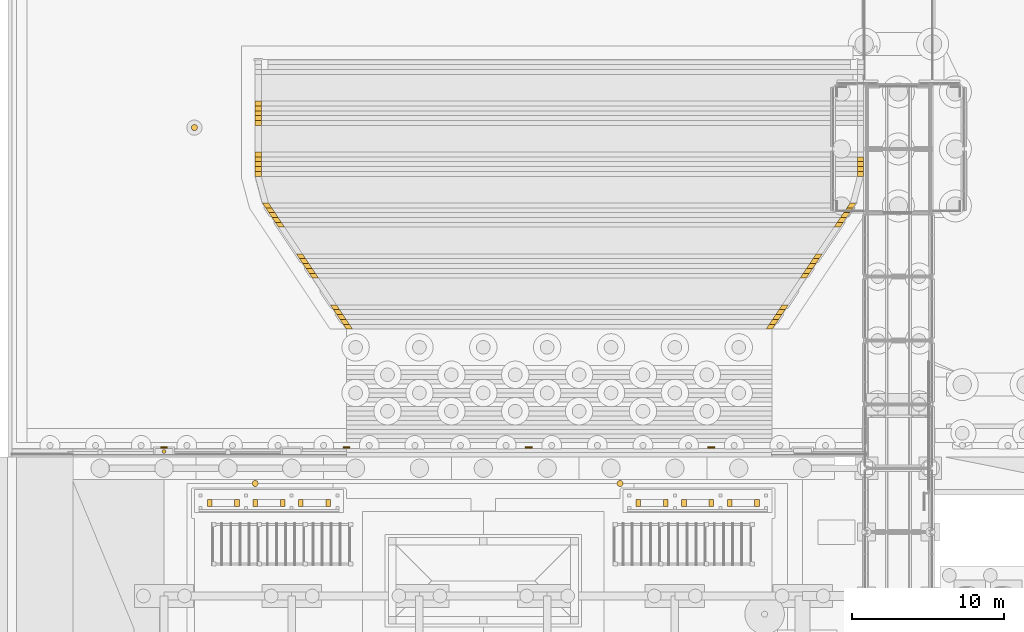
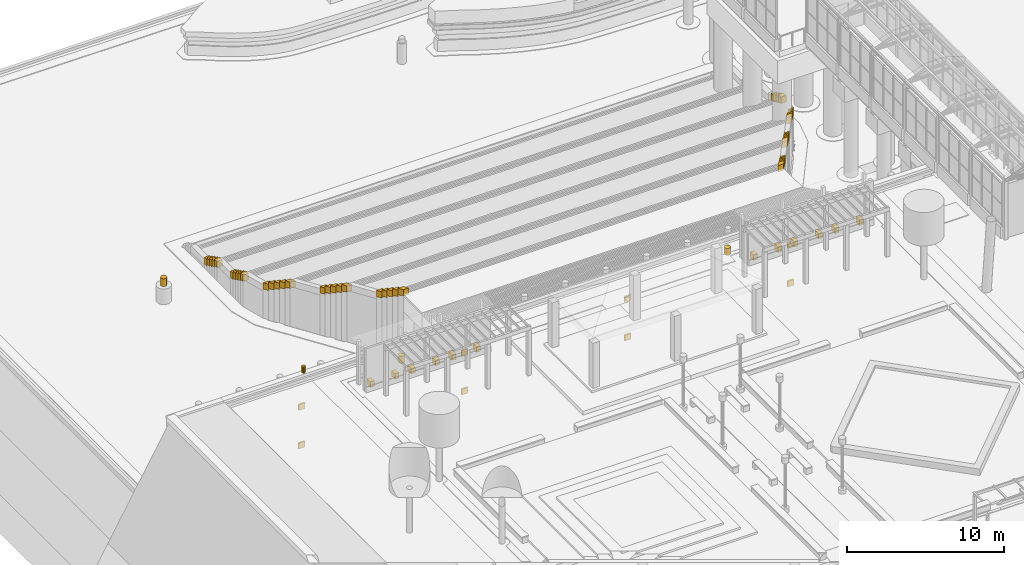
# One storey, part 212 of 222: 68 coverings.
"""IFC4 building model written with IfcOpenShell, lengths in metres."""

import ifcopenshell
import ifcopenshell.guid

model = None  # the IFC model being written
_history = None  # IfcOwnerHistory: only IFC2X3 demands one
_inside = {}  # id of a spatial element -> (the spatial element, [elements in it])
_under = {}  # id of a project, library or spatial element -> (it, [spatial elements below it])
_declared = {}  # id of a project -> (the project, [libraries it declares])
_typed = {}  # id of a type object -> (the type object, [elements of that type])
_made_of = {}  # id of a material, layer set ... -> (it, [elements and type objects made of it])


def new_model(schema):
    """Start an empty IFC model of exactly this schema.

    Asked for "IFC4X3", IfcOpenShell would pick the latest addendum, in which some entities
    have other attributes; the version numbers below select the first issue.
    IFC2X3 requires an IfcOwnerHistory on every rooted entity: one is made here for all.
    """
    global model, _history
    if schema == "IFC4X3":
        model = ifcopenshell.file(schema_version=(4, 3, 0, 0))
    else:
        model = ifcopenshell.file(schema=schema)
    _inside.clear()
    _under.clear()
    _declared.clear()
    _typed.clear()
    _made_of.clear()
    _history = None
    if model.schema == "IFC2X3":
        org = make("IfcOrganization", Name="unknown")
        user = make(
            "IfcPersonAndOrganization",
            ThePerson=make("IfcPerson", FamilyName="unknown"),
            TheOrganization=org,
        )
        app = make(
            "IfcApplication",
            ApplicationDeveloper=org,
            Version="unknown",
            ApplicationFullName="unknown",
            ApplicationIdentifier="unknown",
        )
        _history = make(
            "IfcOwnerHistory",
            OwningUser=user,
            OwningApplication=app,
            ChangeAction="ADDED",
            CreationDate=0,
        )
    return model


def make(cls, **values):
    """One entity of the class cls with the attributes given. An attribute that is None is left unset."""
    return model.create_entity(
        cls, **{name: value for name, value in values.items() if value is not None}
    )


def rooted(cls, **values):
    """An entity with a GlobalId (a new one), such as an element, a storey or a relation."""
    return make(cls, GlobalId=ifcopenshell.guid.new(), OwnerHistory=_history, **values)


def si_unit(unit_type, name, prefix=None):
    """IfcSIUnit, for example si_unit("LENGTHUNIT", "METRE", prefix="MILLI")."""
    return make("IfcSIUnit", UnitType=unit_type, Prefix=prefix, Name=name)


def assignment(units):
    """IfcUnitAssignment: the units of a project."""
    return None if units is None else make("IfcUnitAssignment", Units=units)


def point(xyz):
    """IfcCartesianPoint."""
    return None if xyz is None else make("IfcCartesianPoint", Coordinates=xyz)


def direction(xyz):
    """IfcDirection."""
    return None if xyz is None else make("IfcDirection", DirectionRatios=xyz)


def frame(location, z_axis=None, x_axis=None):
    """IfcAxis2Placement3D, a coordinate frame: its origin and axes. An axis left out is left unset."""
    return make(
        "IfcAxis2Placement3D",
        Location=point(location),
        Axis=direction(z_axis),
        RefDirection=direction(x_axis),
    )


def frame_2d(location, x_axis=None):
    """IfcAxis2Placement2D, a coordinate frame in the plane: its origin and x axis."""
    return make(
        "IfcAxis2Placement2D", Location=point(location), RefDirection=direction(x_axis)
    )


def origin():
    """The frame at (0, 0, 0) with its axes left unset."""
    return frame((0.0, 0.0, 0.0))


def origin_2d():
    """The frame at (0, 0) in the plane with its x axis left unset."""
    return frame_2d((0.0, 0.0))


def place(relative_to, where):
    """IfcLocalPlacement: puts the frame where relative to a parent placement (None: the world)."""
    return make(
        "IfcLocalPlacement", PlacementRelTo=relative_to, RelativePlacement=where
    )


def context(
    kind, dimensions, precision=None, world=None, true_north=None, identifier=None
):
    """IfcGeometricRepresentationContext, for example the 3D "Model" context."""
    return make(
        "IfcGeometricRepresentationContext",
        ContextIdentifier=identifier,
        ContextType=kind,
        CoordinateSpaceDimension=dimensions,
        Precision=precision,
        WorldCoordinateSystem=world,
        TrueNorth=true_north,
    )


def subcontext(parent, identifier, kind, view, scale=None):
    """IfcGeometricRepresentationSubContext, for example "Body" below "Model"."""
    return make(
        "IfcGeometricRepresentationSubContext",
        ContextIdentifier=identifier,
        ContextType=kind,
        ParentContext=parent,
        TargetScale=scale,
        TargetView=view,
    )


def project(units=None, contexts=None):
    """IfcProject with its units and contexts."""
    return rooted(
        "IfcProject",
        Name="project",
        RepresentationContexts=contexts,
        UnitsInContext=assignment(units),
    )


def spatial(cls, under=None, at=None, **own):
    """A site, building, storey or space (cls), placed at a placement, below another one or the project."""
    s = rooted(cls, ObjectPlacement=at, **own)
    if under is not None:
        _under.setdefault(under.id(), (under, []))[1].append(s)
    return s


def polyline(points):
    """IfcPolyline through the points."""
    return make("IfcPolyline", Points=[point(p) for p in points])


def profile(cls, at=None, kind="AREA", **sizes):
    """A parametric profile (cls). Its sizes go by their IFC names, for example OverallWidth=200.0."""
    return make(cls, ProfileType=kind, Position=at, **sizes)


def circle(**sizes):
    """IfcCircleProfileDef."""
    return profile("IfcCircleProfileDef", **sizes)


def outline(outer, holes=None, kind="AREA"):
    """IfcArbitraryClosedProfileDef: a profile drawn as a closed curve; with holes, ...WithVoids."""
    if holes is None:
        return make("IfcArbitraryClosedProfileDef", ProfileType=kind, OuterCurve=outer)
    return make(
        "IfcArbitraryProfileDefWithVoids",
        ProfileType=kind,
        OuterCurve=outer,
        InnerCurves=holes,
    )


def extrude(swept, where, along, depth):
    """IfcExtrudedAreaSolid: the profile swept, set in the frame where, extruded along a direction by depth."""
    return make(
        "IfcExtrudedAreaSolid",
        SweptArea=swept,
        Position=where,
        ExtrudedDirection=direction(along),
        Depth=depth,
    )


def shape(context_of_items, identifier, shape_type, items):
    """IfcShapeRepresentation: the items that make up one representation, for example the "Body"."""
    return make(
        "IfcShapeRepresentation",
        ContextOfItems=context_of_items,
        RepresentationIdentifier=identifier,
        RepresentationType=shape_type,
        Items=items,
    )


def material(Name=None, Category=None):
    """IfcMaterial."""
    return make("IfcMaterial", Name=Name, Category=Category)


def layer(
    of_material, thickness, ventilated=None, Name=None, Category=None, Priority=None
):
    """IfcMaterialLayer: one layer of a wall or slab, of a material (None: an air gap)."""
    return make(
        "IfcMaterialLayer",
        Material=of_material,
        LayerThickness=thickness,
        IsVentilated=ventilated,
        Name=Name,
        Category=Category,
        Priority=Priority,
    )


def layer_set(layers, Name=None):
    """IfcMaterialLayerSet."""
    return make("IfcMaterialLayerSet", MaterialLayers=layers, LayerSetName=Name)


def made_of(thing, what):
    """Note that an element or type object is made of a material, layer set ...; save() writes the relation."""
    if what is not None:
        _made_of.setdefault(what.id(), (what, []))[1].append(thing)
    return thing


def type_object(cls, material=None, **own):
    """A type object (cls), such as IfcWallType, which elements share."""
    return made_of(rooted(cls, **own), material)


def element(
    cls,
    number,
    at=None,
    inside=None,
    cuts=None,
    type_object=None,
    material=None,
    context=None,
    identifier="Body",
    shape_type=None,
    held_by="IfcProductDefinitionShape",
    body=None,
    shapes=None,
    **own,
):
    """One element of the class cls, such as IfcWall. Its Tag is "e" and its number.

    at: its placement. inside: the storey or other place that contains it. cuts: it is an
    opening in that element (IfcRelVoidsElement). A single representation is given by context,
    identifier, shape_type and body (its items); several are given by shapes. held_by: the class
    of the entity that holds the representations. save() writes the other relations.
    """
    e = rooted(cls, Tag="e%d" % number, ObjectPlacement=at, **own)
    if body is not None:
        shapes = [shape(context, identifier, shape_type, body)]
    if shapes is not None:
        e.Representation = make(held_by, Representations=shapes)
    if inside is not None:
        _inside.setdefault(inside.id(), (inside, []))[1].append(e)
    if cuts is not None:
        rooted(
            "IfcRelVoidsElement", RelatingBuildingElement=cuts, RelatedOpeningElement=e
        )
    if type_object is not None:
        _typed.setdefault(type_object.id(), (type_object, []))[1].append(e)
    return made_of(e, material)


def aggregate(whole, parts):
    """IfcRelAggregates: a whole, such as a stair, and the parts it consists of."""
    return rooted("IfcRelAggregates", RelatingObject=whole, RelatedObjects=parts)


def save(model, path):
    """Write the relations noted so far, then the file.

    IfcRelAggregates (storeys below a building ...), IfcRelContainedInSpatialStructure (elements
    in a storey), IfcRelDefinesByType, IfcRelAssociatesMaterial and IfcRelDeclares: one each for
    every whole, place, type object, material and project.
    """
    for whole, parts in _under.values():
        aggregate(whole, parts)
    for where, things in _inside.values():
        rooted(
            "IfcRelContainedInSpatialStructure",
            RelatedElements=things,
            RelatingStructure=where,
        )
    for kind, things in _typed.values():
        rooted("IfcRelDefinesByType", RelatedObjects=things, RelatingType=kind)
    for what, things in _made_of.values():
        rooted("IfcRelAssociatesMaterial", RelatedObjects=things, RelatingMaterial=what)
    for by, libraries in _declared.values():
        rooted("IfcRelDeclares", RelatingContext=by, RelatedDefinitions=libraries)
    model.write(path)


model = new_model("IFC4")

# Units and contexts
model_context = context("Model", 3, precision=1e-05, world=origin(), true_north=direction((0.0, 1.0)))
body_context = subcontext(model_context, "Body", "Model", "MODEL_VIEW")
ifc_project = project(units=[si_unit("LENGTHUNIT", "METRE"), si_unit("AREAUNIT", "SQUARE_METRE"), si_unit("VOLUMEUNIT", "CUBIC_METRE"), si_unit("PLANEANGLEUNIT", "RADIAN"), si_unit("MASSUNIT", "GRAM", prefix="KILO")], contexts=[model_context])

# Site, building, storey
site_placement = place(None, origin())
site = spatial("IfcSite", under=ifc_project, at=site_placement, CompositionType="ELEMENT")
building_placement = place(site_placement, origin())
building = spatial("IfcBuilding", under=site, at=building_placement, Name="Sava Quay Ferry Terminal", CompositionType="ELEMENT")
storey_placement = place(building_placement, origin())
storey = spatial("IfcBuildingStorey", under=building, at=storey_placement, Name="L00", CompositionType="ELEMENT", Elevation=0.0)

# Coverings
ifc_material_1 = material(Name="Limestone Mutalj", Category="masonry")
ifc_layer_1 = layer(ifc_material_1, 0.300048828125)
ifc_layer_set_1 = layer_set([ifc_layer_1], Name="Limestone Mutalj")
covering_type_1 = type_object("IfcCoveringType", Name="Bench stone support 300", PredefinedType="CLADDING", material=ifc_layer_set_1)
covering_1_placement = place(storey_placement, origin())
element("IfcCovering", 1, at=covering_1_placement, inside=storey, type_object=covering_type_1, Name="Bench stone support", PredefinedType="CLADDING", context=body_context, shape_type="SweptSolid", body=[
    extrude(outline(polyline([(3.14990234375, 115.10009765625), (3.14990234375, 115.550048828125), (2.85009765625, 115.550048828125), (2.85009765625, 115.10009765625), (3.14990234375, 115.10009765625)])), origin(), (0.0, 0.0, 1.0), 0.419921875),
])
covering_2_placement = place(storey_placement, origin())
element("IfcCovering", 2, at=covering_2_placement, inside=storey, type_object=covering_type_1, Name="Bench stone support", PredefinedType="CLADDING", context=body_context, shape_type="SweptSolid", body=[
    extrude(outline(polyline([(4.949951171875, 115.10009765625), (4.949951171875, 115.550048828125), (4.64990234375, 115.550048828125), (4.64990234375, 115.10009765625), (4.949951171875, 115.10009765625)])), origin(), (0.0, 0.0, 1.0), 0.419921875),
])
covering_3_placement = place(storey_placement, origin())
element("IfcCovering", 3, at=covering_3_placement, inside=storey, type_object=covering_type_1, Name="Bench stone support", PredefinedType="CLADDING", context=body_context, shape_type="SweptSolid", body=[
    extrude(outline(polyline([(6.14990234375, 115.10009765625), (6.14990234375, 115.550048828125), (5.85009765625, 115.550048828125), (5.85009765625, 115.10009765625), (6.14990234375, 115.10009765625)])), origin(), (0.0, 0.0, 1.0), 0.419921875),
])
covering_4_placement = place(storey_placement, origin())
element("IfcCovering", 4, at=covering_4_placement, inside=storey, type_object=covering_type_1, Name="Bench stone support", PredefinedType="CLADDING", context=body_context, shape_type="SweptSolid", body=[
    extrude(outline(polyline([(7.949951171875, 115.10009765625), (7.949951171875, 115.550048828125), (7.64990234375, 115.550048828125), (7.64990234375, 115.10009765625), (7.949951171875, 115.10009765625)])), origin(), (0.0, 0.0, 1.0), 0.419921875),
])
covering_5_placement = place(storey_placement, origin())
element("IfcCovering", 5, at=covering_5_placement, inside=storey, type_object=covering_type_1, Name="Bench stone support", PredefinedType="CLADDING", context=body_context, shape_type="SweptSolid", body=[
    extrude(outline(polyline([(9.14990234375, 115.10009765625), (9.14990234375, 115.550048828125), (8.85009765625, 115.550048828125), (8.85009765625, 115.10009765625), (9.14990234375, 115.10009765625)])), origin(), (0.0, 0.0, 1.0), 0.419921875),
])
covering_6_placement = place(storey_placement, origin())
element("IfcCovering", 6, at=covering_6_placement, inside=storey, type_object=covering_type_1, Name="Bench stone support", PredefinedType="CLADDING", context=body_context, shape_type="SweptSolid", body=[
    extrude(outline(polyline([(10.949951171875, 115.10009765625), (10.949951171875, 115.550048828125), (10.64990234375, 115.550048828125), (10.64990234375, 115.10009765625), (10.949951171875, 115.10009765625)])), origin(), (0.0, 0.0, 1.0), 0.419921875),
])
covering_7_placement = place(storey_placement, origin())
element("IfcCovering", 7, at=covering_7_placement, inside=storey, type_object=covering_type_1, Name="Bench stone support", PredefinedType="CLADDING", context=body_context, shape_type="SweptSolid", body=[
    extrude(outline(polyline([(31.35009765625, 115.10009765625), (31.35009765625, 115.550048828125), (31.050048828125, 115.550048828125), (31.050048828125, 115.10009765625), (31.35009765625, 115.10009765625)])), origin(), (0.0, 0.0, 1.0), 0.419921875),
])
covering_8_placement = place(storey_placement, origin())
element("IfcCovering", 8, at=covering_8_placement, inside=storey, type_object=covering_type_1, Name="Bench stone support", PredefinedType="CLADDING", context=body_context, shape_type="SweptSolid", body=[
    extrude(outline(polyline([(33.14990234375, 115.10009765625), (33.14990234375, 115.550048828125), (32.85009765625, 115.550048828125), (32.85009765625, 115.10009765625), (33.14990234375, 115.10009765625)])), origin(), (0.0, 0.0, 1.0), 0.419921875),
])
covering_9_placement = place(storey_placement, origin())
element("IfcCovering", 9, at=covering_9_placement, inside=storey, type_object=covering_type_1, Name="Bench stone support", PredefinedType="CLADDING", context=body_context, shape_type="SweptSolid", body=[
    extrude(outline(polyline([(34.35009765625, 115.10009765625), (34.35009765625, 115.550048828125), (34.050048828125, 115.550048828125), (34.050048828125, 115.10009765625), (34.35009765625, 115.10009765625)])), origin(), (0.0, 0.0, 1.0), 0.419921875),
])
covering_10_placement = place(storey_placement, origin())
element("IfcCovering", 10, at=covering_10_placement, inside=storey, type_object=covering_type_1, Name="Bench stone support", PredefinedType="CLADDING", context=body_context, shape_type="SweptSolid", body=[
    extrude(outline(polyline([(36.14990234375, 115.10009765625), (36.14990234375, 115.550048828125), (35.85009765625, 115.550048828125), (35.85009765625, 115.10009765625), (36.14990234375, 115.10009765625)])), origin(), (0.0, 0.0, 1.0), 0.419921875),
])
covering_11_placement = place(storey_placement, origin())
element("IfcCovering", 11, at=covering_11_placement, inside=storey, type_object=covering_type_1, Name="Bench stone support", PredefinedType="CLADDING", context=body_context, shape_type="SweptSolid", body=[
    extrude(outline(polyline([(37.35009765625, 115.10009765625), (37.35009765625, 115.550048828125), (37.050048828125, 115.550048828125), (37.050048828125, 115.10009765625), (37.35009765625, 115.10009765625)])), origin(), (0.0, 0.0, 1.0), 0.419921875),
])
covering_12_placement = place(storey_placement, origin())
element("IfcCovering", 12, at=covering_12_placement, inside=storey, type_object=covering_type_1, Name="Bench stone support", PredefinedType="CLADDING", context=body_context, shape_type="SweptSolid", body=[
    extrude(outline(polyline([(39.14990234375, 115.10009765625), (39.14990234375, 115.550048828125), (38.85009765625, 115.550048828125), (38.85009765625, 115.10009765625), (39.14990234375, 115.10009765625)])), origin(), (0.0, 0.0, 1.0), 0.419921875),
])
ifc_material_2 = material(Name="Steel S355", Category="steel")
ifc_layer_2 = layer(ifc_material_2, 0.39990234375)
ifc_layer_set_2 = layer_set([ifc_layer_2], Name="Steel S355")
covering_type_2 = type_object("IfcCoveringType", Name="Mooring bollard 400", PredefinedType="CLADDING", material=ifc_layer_set_2)
for number, where, z_axis, x_axis, name in (
    (13, (6.0, 116.60009765625, 0.550048828125), (0.0, 0.0, -1.0), (1.0, 0.0, 0.0), "Mooring bollard"),
    (14, (30.0, 116.60009765625, 0.550048828125), (0.0, 0.0, -1.0), (1.0, 0.0, 0.0), "Mooring bollard"),
):
    element("IfcCovering", number, at=place(storey_placement, frame(where, z_axis=z_axis, x_axis=x_axis)), inside=storey, type_object=covering_type_2, Name=name, PredefinedType="CLADDING", context=body_context, shape_type="SweptSolid", body=[
        extrude(circle(Radius=0.199951171875, at=origin_2d()), origin(), (0.0, 0.0, 1.0), 0.550048828125),
    ])
ifc_material_3 = material(Name="Steel painted", Category="steel")
ifc_layer_3 = layer(ifc_material_3, 0.39990234375)
ifc_layer_set_3 = layer_set([ifc_layer_3], Name="Steel painted")
covering_type_3 = type_object("IfcCoveringType", Name="Mooring buoy top 400", PredefinedType="CLADDING", material=ifc_layer_set_3)
covering_13_placement = place(storey_placement, frame((2.0, 140.0, -6.199951171875), z_axis=(0.0, 0.0, -1.0), x_axis=(1.0, 0.0, 0.0)))
element("IfcCovering", 15, at=covering_13_placement, inside=storey, type_object=covering_type_3, Name="Mooring buoy top", PredefinedType="CLADDING", context=body_context, shape_type="SweptSolid", body=[
    extrude(circle(Radius=0.199951171875, at=origin_2d()), origin(), (0.0, 0.0, 1.0), 0.60009765625),
])
ifc_material_4 = material(Name="Cast iron")
ifc_layer_4 = layer(ifc_material_4, 0.239990234375)
ifc_layer_set_4 = layer_set([ifc_layer_4], Name="Cast iron")
covering_type_4 = type_object("IfcCoveringType", Name="Quay bollard 240", PredefinedType="CLADDING", material=ifc_layer_set_4)
covering_14_placement = place(storey_placement, frame((0.0, 118.699951171875, 0.5), z_axis=(0.0, 0.0, -1.0), x_axis=(1.0, 0.0, 0.0)))
element("IfcCovering", 16, at=covering_14_placement, inside=storey, type_object=covering_type_4, Name="Mooring bollard", PredefinedType="CLADDING", context=body_context, shape_type="SweptSolid", body=[
    extrude(circle(Radius=0.1201171875, at=origin_2d()), origin(), (0.0, 0.0, 1.0), 0.5),
])
ifc_material_5 = material(Name="Cast iron")
ifc_layer_5 = layer(ifc_material_5, 0.1201171875)
ifc_layer_set_5 = layer_set([ifc_layer_5], Name="Cast iron")
covering_type_5 = type_object("IfcCoveringType", Name="Quay mooring ring plate", PredefinedType="CLADDING", material=ifc_layer_set_5)
for number, where, name in (
    (17, (0.0, 0.0, -6.02490234375), "Quay mooring ring plate"),
    (18, (0.0, 0.0, -3.02490234375), "Quay mooring ring plate"),
):
    element("IfcCovering", number, at=place(storey_placement, frame(where)), inside=storey, type_object=covering_type_5, Name=name, PredefinedType="CLADDING", context=body_context, shape_type="SweptSolid", body=[
        extrude(outline(polyline([(0.22509765625, 118.89990234375), (0.22509765625, 119.02001953125), (-0.22509765625, 119.02001953125), (-0.22509765625, 118.89990234375), (0.22509765625, 118.89990234375)])), origin(), (0.0, 0.0, 1.0), 0.449951171875),
    ])
for number, where, name in (
    (19, (0.0, 0.0, -6.02490234375), "Quay mooring ring plate"),
    (20, (0.0, 0.0, -3.02490234375), "Quay mooring ring plate"),
):
    element("IfcCovering", number, at=place(storey_placement, frame(where)), inside=storey, type_object=covering_type_5, Name=name, PredefinedType="CLADDING", context=body_context, shape_type="SweptSolid", body=[
        extrude(outline(polyline([(12.22509765625, 118.89990234375), (12.22509765625, 119.02001953125), (11.77490234375, 119.02001953125), (11.77490234375, 118.89990234375), (12.22509765625, 118.89990234375)])), origin(), (0.0, 0.0, 1.0), 0.449951171875),
    ])
for number, where, name in (
    (21, (0.0, 0.0, -6.02490234375), "Quay mooring ring plate"),
    (22, (0.0, 0.0, -3.02490234375), "Quay mooring ring plate"),
):
    element("IfcCovering", number, at=place(storey_placement, frame(where)), inside=storey, type_object=covering_type_5, Name=name, PredefinedType="CLADDING", context=body_context, shape_type="SweptSolid", body=[
        extrude(outline(polyline([(24.22509765625, 118.89990234375), (24.22509765625, 119.02001953125), (23.77490234375, 119.02001953125), (23.77490234375, 118.89990234375), (24.22509765625, 118.89990234375)])), origin(), (0.0, 0.0, 1.0), 0.449951171875),
    ])
for number, where, name in (
    (23, (0.0, 0.0, -6.02490234375), "Quay mooring ring plate"),
    (24, (0.0, 0.0, -3.02490234375), "Quay mooring ring plate"),
):
    element("IfcCovering", number, at=place(storey_placement, frame(where)), inside=storey, type_object=covering_type_5, Name=name, PredefinedType="CLADDING", context=body_context, shape_type="SweptSolid", body=[
        extrude(outline(polyline([(36.22509765625, 118.89990234375), (36.22509765625, 119.02001953125), (35.77490234375, 119.02001953125), (35.77490234375, 118.89990234375), (36.22509765625, 118.89990234375)])), origin(), (0.0, 0.0, 1.0), 0.449951171875),
    ])
ifc_material_6 = material(Name="Limestone ashlar", Category="masonry")
ifc_layer_6 = layer(ifc_material_6, 0.39990234375)
ifc_layer_set_6 = layer_set([ifc_layer_6], Name="Limestone ashlar")
covering_type_6 = type_object("IfcCoveringType", Name="Wet stair cheek wall 400", PredefinedType="CLADDING", material=ifc_layer_set_6)
covering_15_placement = place(storey_placement, frame((0.0, 0.0, -3.1591796875)))
element("IfcCovering", 25, at=covering_15_placement, inside=storey, type_object=covering_type_6, Name="Wet stair cheek wall", PredefinedType="CLADDING", context=body_context, shape_type="SweptSolid", body=[
    extrude(outline(polyline([(12.0, 126.75), (12.39990234375, 126.75), (12.18701171875, 127.070068359375), (11.787109375, 127.070068359375), (12.0, 126.75)])), origin(), (0.0, 0.0, 1.0), 0.5),
])
covering_16_placement = place(storey_placement, frame((0.0, 0.0, -3.1591796875)))
element("IfcCovering", 26, at=covering_16_placement, inside=storey, type_object=covering_type_6, Name="Wet stair cheek wall", PredefinedType="CLADDING", context=body_context, shape_type="SweptSolid", body=[
    extrude(outline(polyline([(39.60009765625, 126.75), (40.0, 126.75), (40.212890625, 127.070068359375), (39.81298828125, 127.070068359375), (39.60009765625, 126.75)])), origin(), (0.0, 0.0, 1.0), 0.5),
])
covering_17_placement = place(storey_placement, frame((0.0, 0.0, -3.318115234375)))
element("IfcCovering", 27, at=covering_17_placement, inside=storey, type_object=covering_type_6, Name="Wet stair cheek wall", PredefinedType="CLADDING", context=body_context, shape_type="SweptSolid", body=[
    extrude(outline(polyline([(11.787109375, 127.070068359375), (12.18701171875, 127.070068359375), (11.972900390625, 127.389892578125), (11.572998046875, 127.389892578125), (11.787109375, 127.070068359375)])), origin(), (0.0, 0.0, 1.0), 0.5),
])
covering_18_placement = place(storey_placement, frame((0.0, 0.0, -3.318115234375)))
element("IfcCovering", 28, at=covering_18_placement, inside=storey, type_object=covering_type_6, Name="Wet stair cheek wall", PredefinedType="CLADDING", context=body_context, shape_type="SweptSolid", body=[
    extrude(outline(polyline([(39.81298828125, 127.070068359375), (40.212890625, 127.070068359375), (40.427001953125, 127.389892578125), (40.027099609375, 127.389892578125), (39.81298828125, 127.070068359375)])), origin(), (0.0, 0.0, 1.0), 0.5),
])
covering_19_placement = place(storey_placement, frame((0.0, 0.0, -3.477294921875)))
element("IfcCovering", 29, at=covering_19_placement, inside=storey, type_object=covering_type_6, Name="Wet stair cheek wall", PredefinedType="CLADDING", context=body_context, shape_type="SweptSolid", body=[
    extrude(outline(polyline([(11.572998046875, 127.389892578125), (11.972900390625, 127.389892578125), (11.760009765625, 127.7099609375), (11.360107421875, 127.7099609375), (11.572998046875, 127.389892578125)])), origin(), (0.0, 0.0, 1.0), 0.5),
])
covering_20_placement = place(storey_placement, frame((0.0, 0.0, -3.477294921875)))
element("IfcCovering", 30, at=covering_20_placement, inside=storey, type_object=covering_type_6, Name="Wet stair cheek wall", PredefinedType="CLADDING", context=body_context, shape_type="SweptSolid", body=[
    extrude(outline(polyline([(40.027099609375, 127.389892578125), (40.427001953125, 127.389892578125), (40.639892578125, 127.7099609375), (40.239990234375, 127.7099609375), (40.027099609375, 127.389892578125)])), origin(), (0.0, 0.0, 1.0), 0.5),
])
covering_21_placement = place(storey_placement, frame((0.0, 0.0, -3.636474609375)))
element("IfcCovering", 31, at=covering_21_placement, inside=storey, type_object=covering_type_6, Name="Wet stair cheek wall", PredefinedType="CLADDING", context=body_context, shape_type="SweptSolid", body=[
    extrude(outline(polyline([(11.360107421875, 127.7099609375), (11.760009765625, 127.7099609375), (11.547119140625, 128.030029296875), (11.14697265625, 128.030029296875), (11.360107421875, 127.7099609375)])), origin(), (0.0, 0.0, 1.0), 0.5),
])
covering_22_placement = place(storey_placement, frame((0.0, 0.0, -3.636474609375)))
element("IfcCovering", 32, at=covering_22_placement, inside=storey, type_object=covering_type_6, Name="Wet stair cheek wall", PredefinedType="CLADDING", context=body_context, shape_type="SweptSolid", body=[
    extrude(outline(polyline([(40.239990234375, 127.7099609375), (40.639892578125, 127.7099609375), (40.85302734375, 128.030029296875), (40.452880859375, 128.030029296875), (40.239990234375, 127.7099609375)])), origin(), (0.0, 0.0, 1.0), 0.5),
])
covering_23_placement = place(storey_placement, frame((0.0, 0.0, -3.79541015625)))
element("IfcCovering", 33, at=covering_23_placement, inside=storey, type_object=covering_type_6, Name="Wet stair cheek wall", PredefinedType="CLADDING", context=body_context, shape_type="SweptSolid", body=[
    extrude(outline(polyline([(11.14697265625, 128.030029296875), (11.547119140625, 128.030029296875), (11.3330078125, 128.35009765625), (10.93310546875, 128.35009765625), (11.14697265625, 128.030029296875)])), origin(), (0.0, 0.0, 1.0), 0.5),
])
covering_24_placement = place(storey_placement, frame((0.0, 0.0, -3.79541015625)))
element("IfcCovering", 34, at=covering_24_placement, inside=storey, type_object=covering_type_6, Name="Wet stair cheek wall", PredefinedType="CLADDING", context=body_context, shape_type="SweptSolid", body=[
    extrude(outline(polyline([(40.452880859375, 128.030029296875), (40.85302734375, 128.030029296875), (41.06689453125, 128.35009765625), (40.6669921875, 128.35009765625), (40.452880859375, 128.030029296875)])), origin(), (0.0, 0.0, 1.0), 0.5),
])
covering_25_placement = place(storey_placement, frame((0.0, 0.0, -4.113525390625)))
element("IfcCovering", 35, at=covering_25_placement, inside=storey, type_object=covering_type_6, Name="Wet stair cheek wall", PredefinedType="CLADDING", context=body_context, shape_type="SweptSolid", body=[
    extrude(outline(polyline([(9.76708984375, 130.10009765625), (10.1669921875, 130.10009765625), (9.952880859375, 130.419921875), (9.552978515625, 130.419921875), (9.76708984375, 130.10009765625)])), origin(), (0.0, 0.0, 1.0), 0.5),
])
covering_26_placement = place(storey_placement, frame((0.0, 0.0, -4.113525390625)))
element("IfcCovering", 36, at=covering_26_placement, inside=storey, type_object=covering_type_6, Name="Wet stair cheek wall", PredefinedType="CLADDING", context=body_context, shape_type="SweptSolid", body=[
    extrude(outline(polyline([(41.8330078125, 130.10009765625), (42.23291015625, 130.10009765625), (42.447021484375, 130.419921875), (42.047119140625, 130.419921875), (41.8330078125, 130.10009765625)])), origin(), (0.0, 0.0, 1.0), 0.5),
])
covering_27_placement = place(storey_placement, frame((0.0, 0.0, -4.272705078125)))
element("IfcCovering", 37, at=covering_27_placement, inside=storey, type_object=covering_type_6, Name="Wet stair cheek wall", PredefinedType="CLADDING", context=body_context, shape_type="SweptSolid", body=[
    extrude(outline(polyline([(9.552978515625, 130.419921875), (9.952880859375, 130.419921875), (9.739990234375, 130.739990234375), (9.340087890625, 130.739990234375), (9.552978515625, 130.419921875)])), origin(), (0.0, 0.0, 1.0), 0.5),
])
covering_28_placement = place(storey_placement, frame((0.0, 0.0, -4.272705078125)))
element("IfcCovering", 38, at=covering_28_placement, inside=storey, type_object=covering_type_6, Name="Wet stair cheek wall", PredefinedType="CLADDING", context=body_context, shape_type="SweptSolid", body=[
    extrude(outline(polyline([(42.047119140625, 130.419921875), (42.447021484375, 130.419921875), (42.659912109375, 130.739990234375), (42.260009765625, 130.739990234375), (42.047119140625, 130.419921875)])), origin(), (0.0, 0.0, 1.0), 0.5),
])
covering_29_placement = place(storey_placement, frame((0.0, 0.0, -4.431884765625)))
element("IfcCovering", 39, at=covering_29_placement, inside=storey, type_object=covering_type_6, Name="Wet stair cheek wall", PredefinedType="CLADDING", context=body_context, shape_type="SweptSolid", body=[
    extrude(outline(polyline([(9.340087890625, 130.739990234375), (9.739990234375, 130.739990234375), (9.527099609375, 131.06005859375), (9.126953125, 131.06005859375), (9.340087890625, 130.739990234375)])), origin(), (0.0, 0.0, 1.0), 0.5),
])
covering_30_placement = place(storey_placement, frame((0.0, 0.0, -4.431884765625)))
element("IfcCovering", 40, at=covering_30_placement, inside=storey, type_object=covering_type_6, Name="Wet stair cheek wall", PredefinedType="CLADDING", context=body_context, shape_type="SweptSolid", body=[
    extrude(outline(polyline([(42.260009765625, 130.739990234375), (42.659912109375, 130.739990234375), (42.873046875, 131.06005859375), (42.472900390625, 131.06005859375), (42.260009765625, 130.739990234375)])), origin(), (0.0, 0.0, 1.0), 0.5),
])
covering_31_placement = place(storey_placement, frame((0.0, 0.0, -4.5908203125)))
element("IfcCovering", 41, at=covering_31_placement, inside=storey, type_object=covering_type_6, Name="Wet stair cheek wall", PredefinedType="CLADDING", context=body_context, shape_type="SweptSolid", body=[
    extrude(outline(polyline([(9.126953125, 131.06005859375), (9.527099609375, 131.06005859375), (9.31298828125, 131.3798828125), (8.9130859375, 131.3798828125), (9.126953125, 131.06005859375)])), origin(), (0.0, 0.0, 1.0), 0.5),
])
covering_32_placement = place(storey_placement, frame((0.0, 0.0, -4.5908203125)))
element("IfcCovering", 42, at=covering_32_placement, inside=storey, type_object=covering_type_6, Name="Wet stair cheek wall", PredefinedType="CLADDING", context=body_context, shape_type="SweptSolid", body=[
    extrude(outline(polyline([(42.472900390625, 131.06005859375), (42.873046875, 131.06005859375), (43.0869140625, 131.3798828125), (42.68701171875, 131.3798828125), (42.472900390625, 131.06005859375)])), origin(), (0.0, 0.0, 1.0), 0.5),
])
covering_33_placement = place(storey_placement, frame((0.0, 0.0, -4.75)))
element("IfcCovering", 43, at=covering_33_placement, inside=storey, type_object=covering_type_6, Name="Wet stair cheek wall", PredefinedType="CLADDING", context=body_context, shape_type="SweptSolid", body=[
    extrude(outline(polyline([(8.9130859375, 131.3798828125), (9.31298828125, 131.3798828125), (9.10009765625, 131.699951171875), (8.699951171875, 131.699951171875), (8.9130859375, 131.3798828125)])), origin(), (0.0, 0.0, 1.0), 0.5),
])
covering_34_placement = place(storey_placement, frame((0.0, 0.0, -4.75)))
element("IfcCovering", 44, at=covering_34_placement, inside=storey, type_object=covering_type_6, Name="Wet stair cheek wall", PredefinedType="CLADDING", context=body_context, shape_type="SweptSolid", body=[
    extrude(outline(polyline([(42.68701171875, 131.3798828125), (43.0869140625, 131.3798828125), (43.300048828125, 131.699951171875), (42.89990234375, 131.699951171875), (42.68701171875, 131.3798828125)])), origin(), (0.0, 0.0, 1.0), 0.5),
])
covering_35_placement = place(storey_placement, frame((0.0, 0.0, -5.068115234375)))
element("IfcCovering", 45, at=covering_35_placement, inside=storey, type_object=covering_type_6, Name="Wet stair cheek wall", PredefinedType="CLADDING", context=body_context, shape_type="SweptSolid", body=[
    extrude(outline(polyline([(7.532958984375, 133.449951171875), (7.93310546875, 133.449951171875), (7.719970703125, 133.77001953125), (7.320068359375, 133.77001953125), (7.532958984375, 133.449951171875)])), origin(), (0.0, 0.0, 1.0), 0.5),
])
covering_36_placement = place(storey_placement, frame((0.0, 0.0, -5.068115234375)))
element("IfcCovering", 46, at=covering_36_placement, inside=storey, type_object=covering_type_6, Name="Wet stair cheek wall", PredefinedType="CLADDING", context=body_context, shape_type="SweptSolid", body=[
    extrude(outline(polyline([(44.06689453125, 133.449951171875), (44.467041015625, 133.449951171875), (44.679931640625, 133.77001953125), (44.280029296875, 133.77001953125), (44.06689453125, 133.449951171875)])), origin(), (0.0, 0.0, 1.0), 0.5),
])
covering_37_placement = place(storey_placement, frame((0.0, 0.0, -5.227294921875)))
element("IfcCovering", 47, at=covering_37_placement, inside=storey, type_object=covering_type_6, Name="Wet stair cheek wall", PredefinedType="CLADDING", context=body_context, shape_type="SweptSolid", body=[
    extrude(outline(polyline([(7.320068359375, 133.77001953125), (7.719970703125, 133.77001953125), (7.507080078125, 134.090087890625), (7.10693359375, 134.090087890625), (7.320068359375, 133.77001953125)])), origin(), (0.0, 0.0, 1.0), 0.5),
])
covering_38_placement = place(storey_placement, frame((0.0, 0.0, -5.227294921875)))
element("IfcCovering", 48, at=covering_38_placement, inside=storey, type_object=covering_type_6, Name="Wet stair cheek wall", PredefinedType="CLADDING", context=body_context, shape_type="SweptSolid", body=[
    extrude(outline(polyline([(44.280029296875, 133.77001953125), (44.679931640625, 133.77001953125), (44.89306640625, 134.090087890625), (44.492919921875, 134.090087890625), (44.280029296875, 133.77001953125)])), origin(), (0.0, 0.0, 1.0), 0.5),
])
covering_39_placement = place(storey_placement, frame((0.0, 0.0, -5.386474609375)))
element("IfcCovering", 49, at=covering_39_placement, inside=storey, type_object=covering_type_6, Name="Wet stair cheek wall", PredefinedType="CLADDING", context=body_context, shape_type="SweptSolid", body=[
    extrude(outline(polyline([(7.10693359375, 134.090087890625), (7.507080078125, 134.090087890625), (7.29296875, 134.409912109375), (6.89306640625, 134.409912109375), (7.10693359375, 134.090087890625)])), origin(), (0.0, 0.0, 1.0), 0.5),
])
covering_40_placement = place(storey_placement, frame((0.0, 0.0, -5.386474609375)))
element("IfcCovering", 50, at=covering_40_placement, inside=storey, type_object=covering_type_6, Name="Wet stair cheek wall", PredefinedType="CLADDING", context=body_context, shape_type="SweptSolid", body=[
    extrude(outline(polyline([(44.492919921875, 134.090087890625), (44.89306640625, 134.090087890625), (45.10693359375, 134.409912109375), (44.70703125, 134.409912109375), (44.492919921875, 134.090087890625)])), origin(), (0.0, 0.0, 1.0), 0.5),
])
covering_41_placement = place(storey_placement, frame((0.0, 0.0, -5.54541015625)))
element("IfcCovering", 51, at=covering_41_placement, inside=storey, type_object=covering_type_6, Name="Wet stair cheek wall", PredefinedType="CLADDING", context=body_context, shape_type="SweptSolid", body=[
    extrude(outline(polyline([(6.89306640625, 134.409912109375), (7.29296875, 134.409912109375), (7.080078125, 134.72998046875), (6.679931640625, 134.72998046875), (6.89306640625, 134.409912109375)])), origin(), (0.0, 0.0, 1.0), 0.5),
])
covering_42_placement = place(storey_placement, frame((0.0, 0.0, -5.54541015625)))
element("IfcCovering", 52, at=covering_42_placement, inside=storey, type_object=covering_type_6, Name="Wet stair cheek wall", PredefinedType="CLADDING", context=body_context, shape_type="SweptSolid", body=[
    extrude(outline(polyline([(44.70703125, 134.409912109375), (45.10693359375, 134.409912109375), (45.320068359375, 134.72998046875), (44.919921875, 134.72998046875), (44.70703125, 134.409912109375)])), origin(), (0.0, 0.0, 1.0), 0.5),
])
covering_43_placement = place(storey_placement, frame((0.0, 0.0, -5.70458984375)))
element("IfcCovering", 53, at=covering_43_placement, inside=storey, type_object=covering_type_6, Name="Wet stair cheek wall", PredefinedType="CLADDING", context=body_context, shape_type="SweptSolid", body=[
    extrude(outline(polyline([(6.679931640625, 134.72998046875), (7.080078125, 134.72998046875), (6.866943359375, 135.050048828125), (6.467041015625, 135.050048828125), (6.679931640625, 134.72998046875)])), origin(), (0.0, 0.0, 1.0), 0.5),
])
covering_44_placement = place(storey_placement, frame((0.0, 0.0, -5.70458984375)))
element("IfcCovering", 54, at=covering_44_placement, inside=storey, type_object=covering_type_6, Name="Wet stair cheek wall", PredefinedType="CLADDING", context=body_context, shape_type="SweptSolid", body=[
    extrude(outline(polyline([(44.919921875, 134.72998046875), (45.320068359375, 134.72998046875), (45.532958984375, 135.050048828125), (45.133056640625, 135.050048828125), (44.919921875, 134.72998046875)])), origin(), (0.0, 0.0, 1.0), 0.5),
])
covering_45_placement = place(storey_placement, frame((0.0, 0.0, -6.022705078125)))
element("IfcCovering", 55, at=covering_45_placement, inside=storey, type_object=covering_type_6, Name="Wet stair cheek wall", PredefinedType="CLADDING", context=body_context, shape_type="SweptSolid", body=[
    extrude(outline(polyline([(6.0, 136.800048828125), (6.39990234375, 136.800048828125), (6.39990234375, 137.1201171875), (6.0, 137.1201171875), (6.0, 136.800048828125)])), origin(), (0.0, 0.0, 1.0), 0.5),
])
covering_46_placement = place(storey_placement, frame((0.0, 0.0, -6.022705078125)))
element("IfcCovering", 56, at=covering_46_placement, inside=storey, type_object=covering_type_6, Name="Wet stair cheek wall", PredefinedType="CLADDING", context=body_context, shape_type="SweptSolid", body=[
    extrude(outline(polyline([(45.60009765625, 136.800048828125), (46.0, 136.800048828125), (46.0, 137.1201171875), (45.60009765625, 137.1201171875), (45.60009765625, 136.800048828125)])), origin(), (0.0, 0.0, 1.0), 0.5),
])
covering_47_placement = place(storey_placement, frame((0.0, 0.0, -6.181884765625)))
element("IfcCovering", 57, at=covering_47_placement, inside=storey, type_object=covering_type_6, Name="Wet stair cheek wall", PredefinedType="CLADDING", context=body_context, shape_type="SweptSolid", body=[
    extrude(outline(polyline([(6.0, 137.1201171875), (6.39990234375, 137.1201171875), (6.39990234375, 137.43994140625), (6.0, 137.43994140625), (6.0, 137.1201171875)])), origin(), (0.0, 0.0, 1.0), 0.5),
])
covering_48_placement = place(storey_placement, frame((0.0, 0.0, -6.181884765625)))
element("IfcCovering", 58, at=covering_48_placement, inside=storey, type_object=covering_type_6, Name="Wet stair cheek wall", PredefinedType="CLADDING", context=body_context, shape_type="SweptSolid", body=[
    extrude(outline(polyline([(45.60009765625, 137.1201171875), (46.0, 137.1201171875), (46.0, 137.43994140625), (45.60009765625, 137.43994140625), (45.60009765625, 137.1201171875)])), origin(), (0.0, 0.0, 1.0), 0.5),
])
covering_49_placement = place(storey_placement, frame((0.0, 0.0, -6.3408203125)))
element("IfcCovering", 59, at=covering_49_placement, inside=storey, type_object=covering_type_6, Name="Wet stair cheek wall", PredefinedType="CLADDING", context=body_context, shape_type="SweptSolid", body=[
    extrude(outline(polyline([(6.0, 137.43994140625), (6.39990234375, 137.43994140625), (6.39990234375, 137.760009765625), (6.0, 137.760009765625), (6.0, 137.43994140625)])), origin(), (0.0, 0.0, 1.0), 0.5),
])
covering_50_placement = place(storey_placement, frame((0.0, 0.0, -6.3408203125)))
element("IfcCovering", 60, at=covering_50_placement, inside=storey, type_object=covering_type_6, Name="Wet stair cheek wall", PredefinedType="CLADDING", context=body_context, shape_type="SweptSolid", body=[
    extrude(outline(polyline([(45.60009765625, 137.43994140625), (46.0, 137.43994140625), (46.0, 137.760009765625), (45.60009765625, 137.760009765625), (45.60009765625, 137.43994140625)])), origin(), (0.0, 0.0, 1.0), 0.5),
])
covering_51_placement = place(storey_placement, frame((0.0, 0.0, -6.5)))
element("IfcCovering", 61, at=covering_51_placement, inside=storey, type_object=covering_type_6, Name="Wet stair cheek wall", PredefinedType="CLADDING", context=body_context, shape_type="SweptSolid", body=[
    extrude(outline(polyline([(6.0, 137.760009765625), (6.39990234375, 137.760009765625), (6.39990234375, 138.080078125), (6.0, 138.080078125), (6.0, 137.760009765625)])), origin(), (0.0, 0.0, 1.0), 0.5),
])
covering_52_placement = place(storey_placement, frame((0.0, 0.0, -6.5)))
element("IfcCovering", 62, at=covering_52_placement, inside=storey, type_object=covering_type_6, Name="Wet stair cheek wall", PredefinedType="CLADDING", context=body_context, shape_type="SweptSolid", body=[
    extrude(outline(polyline([(45.60009765625, 137.760009765625), (46.0, 137.760009765625), (46.0, 138.080078125), (45.60009765625, 138.080078125), (45.60009765625, 137.760009765625)])), origin(), (0.0, 0.0, 1.0), 0.5),
])
covering_53_placement = place(storey_placement, frame((0.0, 0.0, -6.6591796875)))
element("IfcCovering", 63, at=covering_53_placement, inside=storey, type_object=covering_type_6, Name="Wet stair cheek wall", PredefinedType="CLADDING", context=body_context, shape_type="SweptSolid", body=[
    extrude(outline(polyline([(6.0, 138.080078125), (6.39990234375, 138.080078125), (6.39990234375, 138.39990234375), (6.0, 138.39990234375), (6.0, 138.080078125)])), origin(), (0.0, 0.0, 1.0), 0.5),
])
covering_54_placement = place(storey_placement, frame((0.0, 0.0, -6.977294921875)))
element("IfcCovering", 64, at=covering_54_placement, inside=storey, type_object=covering_type_6, Name="Wet stair cheek wall", PredefinedType="CLADDING", context=body_context, shape_type="SweptSolid", body=[
    extrude(outline(polyline([(6.0, 140.14990234375), (6.39990234375, 140.14990234375), (6.39990234375, 140.469970703125), (6.0, 140.469970703125), (6.0, 140.14990234375)])), origin(), (0.0, 0.0, 1.0), 0.5),
])
covering_55_placement = place(storey_placement, frame((0.0, 0.0, -7.136474609375)))
element("IfcCovering", 65, at=covering_55_placement, inside=storey, type_object=covering_type_6, Name="Wet stair cheek wall", PredefinedType="CLADDING", context=body_context, shape_type="SweptSolid", body=[
    extrude(outline(polyline([(6.0, 140.469970703125), (6.39990234375, 140.469970703125), (6.39990234375, 140.7900390625), (6.0, 140.7900390625), (6.0, 140.469970703125)])), origin(), (0.0, 0.0, 1.0), 0.5),
])
covering_56_placement = place(storey_placement, frame((0.0, 0.0, -7.29541015625)))
element("IfcCovering", 66, at=covering_56_placement, inside=storey, type_object=covering_type_6, Name="Wet stair cheek wall", PredefinedType="CLADDING", context=body_context, shape_type="SweptSolid", body=[
    extrude(outline(polyline([(6.0, 140.7900390625), (6.39990234375, 140.7900390625), (6.39990234375, 141.110107421875), (6.0, 141.110107421875), (6.0, 140.7900390625)])), origin(), (0.0, 0.0, 1.0), 0.5),
])
covering_57_placement = place(storey_placement, frame((0.0, 0.0, -7.45458984375)))
element("IfcCovering", 67, at=covering_57_placement, inside=storey, type_object=covering_type_6, Name="Wet stair cheek wall", PredefinedType="CLADDING", context=body_context, shape_type="SweptSolid", body=[
    extrude(outline(polyline([(6.0, 141.110107421875), (6.39990234375, 141.110107421875), (6.39990234375, 141.429931640625), (6.0, 141.429931640625), (6.0, 141.110107421875)])), origin(), (0.0, 0.0, 1.0), 0.5),
])
covering_58_placement = place(storey_placement, frame((0.0, 0.0, -7.613525390625)))
element("IfcCovering", 68, at=covering_58_placement, inside=storey, type_object=covering_type_6, Name="Wet stair cheek wall", PredefinedType="CLADDING", context=body_context, shape_type="SweptSolid", body=[
    extrude(outline(polyline([(6.0, 141.429931640625), (6.39990234375, 141.429931640625), (6.39990234375, 141.75), (6.0, 141.75), (6.0, 141.429931640625)])), origin(), (0.0, 0.0, 1.0), 0.5),
])

save(model, "model.ifc")
